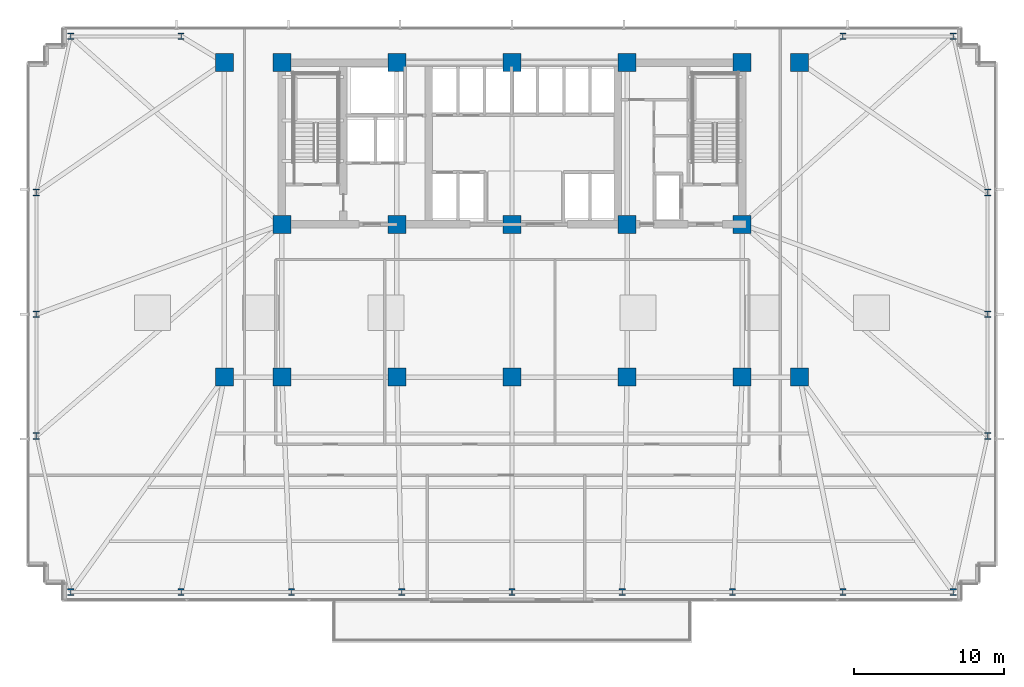
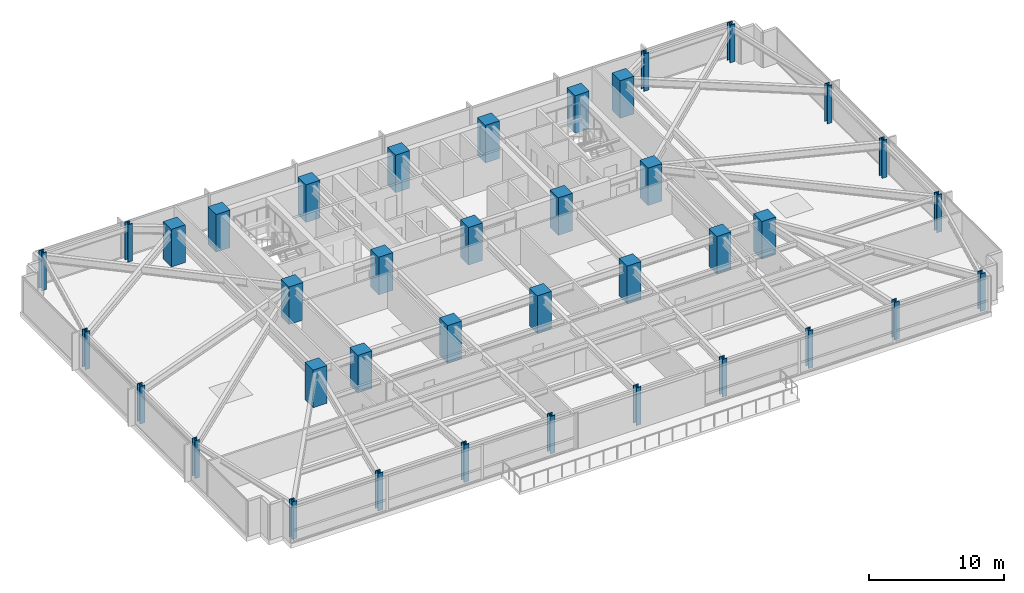
# One storey, part 1 of 31: 38 columns.
"""IFC4 building model written with IfcOpenShell, lengths in metres."""

from ifc_helpers import new_model, si_unit, direction, frame, origin, origin_2d, place, context, subcontext, project, spatial, rectangle, i_section, extrude, material, material_profile, profile_set, type_object, element, save


model = new_model("IFC4")

# Units and contexts
model_context = context("Model", 3, precision=1e-05, world=origin(), true_north=direction((0.0, 1.0)))
body_context = subcontext(model_context, "Body", "Model", "MODEL_VIEW")
ifc_project = project(units=[si_unit("LENGTHUNIT", "METRE"), si_unit("AREAUNIT", "SQUARE_METRE"), si_unit("VOLUMEUNIT", "CUBIC_METRE"), si_unit("PLANEANGLEUNIT", "RADIAN"), si_unit("MASSUNIT", "GRAM", prefix="KILO")], contexts=[model_context])

# Site, building, storey
site_placement = place(None, origin())
site = spatial("IfcSite", under=ifc_project, at=site_placement, CompositionType="ELEMENT")
building_placement = place(site_placement, origin())
building = spatial("IfcBuilding", under=site, at=building_placement, Name="Yelkora Congress Tower", CompositionType="ELEMENT")
storey_placement = place(building_placement, frame((0.0, 0.0, 30.39990234375)))
storey = spatial("IfcBuildingStorey", under=building, at=storey_placement, Name="L06", CompositionType="ELEMENT", Elevation=30.39990234375)

# Columns
ifc_material_1 = material(Name="Steel S460M", Category="steel")
ifc_material_profile_1 = material_profile(ifc_material_1, i_section(OverallWidth=0.41796875, OverallDepth=0.455078125, WebThickness=0.0419921875, FlangeThickness=0.068115234375, FilletRadius=0.014892578125, at=origin_2d()), Name="HD 400x551")
ifc_profile_set_1 = profile_set([ifc_material_profile_1], Name="Steel S460M")
column_type_1 = type_object("IfcColumnType", Name="COL-HD-551-EXT", PredefinedType="COLUMN", material=ifc_profile_set_1)
for number, where, z_axis, x_axis, name in (
    (1, (8.949951171875, 10.85009765625, 0.0), (0.0, 0.0, 1.0), (1.0, 0.0, 0.0), "L06 Perimeter Column S01"),
    (2, (16.3125, 10.85009765625, 0.0), (0.0, 0.0, 1.0), (1.0, 0.0, 0.0), "L06 Perimeter Column S02"),
    (3, (23.675048828125, 10.85009765625, 0.0), (0.0, 0.0, 1.0), (1.0, 0.0, 0.0), "L06 Perimeter Column S03"),
    (4, (31.03759765625, 10.85009765625, 0.0), (0.0, 0.0, 1.0), (1.0, 0.0, 0.0), "L06 Perimeter Column S04"),
    (5, (38.39990234375, 10.85009765625, 0.0), (0.0, 0.0, 1.0), (1.0, 0.0, 0.0), "L06 Perimeter Column S05"),
    (6, (45.762451171875, 10.85009765625, 0.0), (0.0, 0.0, 1.0), (1.0, 0.0, 0.0), "L06 Perimeter Column S06"),
    (7, (53.125, 10.85009765625, 0.0), (0.0, 0.0, 1.0), (1.0, 0.0, 0.0), "L06 Perimeter Column S07"),
    (8, (60.487548828125, 10.85009765625, 0.0), (0.0, 0.0, 1.0), (1.0, 0.0, 0.0), "L06 Perimeter Column S08"),
    (9, (67.85009765625, 10.85009765625, 0.0), (0.0, 0.0, 1.0), (1.0, 0.0, 0.0), "L06 Perimeter Column S09"),
    (10, (8.949951171875, 47.949951171875, 0.0), (0.0, 0.0, 1.0), (1.0, 0.0, 0.0), "L06 Perimeter Column N01"),
    (11, (16.3125, 47.949951171875, 0.0), (0.0, 0.0, 1.0), (1.0, 0.0, 0.0), "L06 Perimeter Column N02"),
    (12, (60.487548828125, 47.949951171875, 0.0), (0.0, 0.0, 1.0), (1.0, 0.0, 0.0), "L06 Perimeter Column N08"),
    (13, (67.85009765625, 47.949951171875, 0.0), (0.0, 0.0, 1.0), (1.0, 0.0, 0.0), "L06 Perimeter Column N09"),
    (14, (6.64990234375, 21.27490234375, 0.0), (0.0, 0.0, 1.0), (1.0, 0.0, 0.0), "L06 Perimeter Column W01"),
    (15, (70.14990234375, 21.27490234375, 0.0), (0.0, 0.0, 1.0), (1.0, 0.0, 0.0), "L06 Perimeter Column E01"),
    (16, (6.64990234375, 29.39990234375, 0.0), (0.0, 0.0, 1.0), (1.0, 0.0, 0.0), "L06 Perimeter Column W02"),
    (17, (70.14990234375, 29.39990234375, 0.0), (0.0, 0.0, 1.0), (1.0, 0.0, 0.0), "L06 Perimeter Column E02"),
    (18, (6.64990234375, 37.52490234375, 0.0), (0.0, 0.0, 1.0), (1.0, 0.0, 0.0), "L06 Perimeter Column W03"),
    (19, (70.14990234375, 37.52490234375, 0.0), (0.0, 0.0, 1.0), (1.0, 0.0, 0.0), "L06 Perimeter Column E03"),
):
    element("IfcColumn", number, at=place(storey_placement, frame(where, z_axis=z_axis, x_axis=x_axis)), inside=storey, type_object=column_type_1, Name=name, PredefinedType="COLUMN", context=body_context, shape_type="SweptSolid", body=[
        extrude(i_section(OverallWidth=0.41796875, OverallDepth=0.455078125, WebThickness=0.0419921875, FlangeThickness=0.068115234375, FilletRadius=0.014892578125, at=origin_2d()), origin(), (0.0, 0.0, 1.0), 3.400146484375),
    ])
ifc_material_2 = material(Name="Concrete C60/75", Category="concrete")
ifc_material_profile_2 = material_profile(ifc_material_2, rectangle(XDim=1.199951171875, YDim=1.199951171875, at=origin_2d()), Name="RC 1200x1200")
ifc_profile_set_2 = profile_set([ifc_material_profile_2], Name="Concrete C60/75")
column_type_2 = type_object("IfcColumnType", Name="COL-RC-1200", PredefinedType="COLUMN", material=ifc_profile_set_2)
for number, where, z_axis, x_axis, name in (
    (20, (23.0400390625, 35.39990234375, 0.0), (0.0, 0.0, 1.0), (1.0, 0.0, 0.0), "L06 Mega Column MC-S1"),
    (21, (23.0400390625, 46.199951171875, 0.0), (0.0, 0.0, 1.0), (1.0, 0.0, 0.0), "L06 Mega Column MC-N1"),
    (22, (23.0400390625, 25.199951171875, 0.0), (0.0, 0.0, 1.0), (1.0, 0.0, 0.0), "L06 Mega Column MC-D1"),
    (23, (30.719970703125, 35.39990234375, 0.0), (0.0, 0.0, 1.0), (1.0, 0.0, 0.0), "L06 Mega Column MC-S2"),
    (24, (30.719970703125, 46.199951171875, 0.0), (0.0, 0.0, 1.0), (1.0, 0.0, 0.0), "L06 Mega Column MC-N2"),
    (25, (30.719970703125, 25.199951171875, 0.0), (0.0, 0.0, 1.0), (1.0, 0.0, 0.0), "L06 Mega Column MC-D2"),
    (26, (38.39990234375, 35.39990234375, 0.0), (0.0, 0.0, 1.0), (1.0, 0.0, 0.0), "L06 Mega Column MC-S3"),
    (27, (38.39990234375, 46.199951171875, 0.0), (0.0, 0.0, 1.0), (1.0, 0.0, 0.0), "L06 Mega Column MC-N3"),
    (28, (38.39990234375, 25.199951171875, 0.0), (0.0, 0.0, 1.0), (1.0, 0.0, 0.0), "L06 Mega Column MC-D3"),
    (29, (46.080078125, 35.39990234375, 0.0), (0.0, 0.0, 1.0), (1.0, 0.0, 0.0), "L06 Mega Column MC-S4"),
    (30, (46.080078125, 46.199951171875, 0.0), (0.0, 0.0, 1.0), (1.0, 0.0, 0.0), "L06 Mega Column MC-N4"),
    (31, (46.080078125, 25.199951171875, 0.0), (0.0, 0.0, 1.0), (1.0, 0.0, 0.0), "L06 Mega Column MC-D4"),
    (32, (53.760009765625, 35.39990234375, 0.0), (0.0, 0.0, 1.0), (1.0, 0.0, 0.0), "L06 Mega Column MC-S5"),
    (33, (53.760009765625, 46.199951171875, 0.0), (0.0, 0.0, 1.0), (1.0, 0.0, 0.0), "L06 Mega Column MC-N5"),
    (34, (53.760009765625, 25.199951171875, 0.0), (0.0, 0.0, 1.0), (1.0, 0.0, 0.0), "L06 Mega Column MC-D5"),
    (35, (19.199951171875, 25.199951171875, 0.0), (0.0, 0.0, 1.0), (1.0, 0.0, 0.0), "L06 Mega Column MC-F1"),
    (36, (57.60009765625, 25.199951171875, 0.0), (0.0, 0.0, 1.0), (1.0, 0.0, 0.0), "L06 Mega Column MC-F2"),
    (37, (19.199951171875, 46.199951171875, 0.0), (0.0, 0.0, 1.0), (1.0, 0.0, 0.0), "L06 Mega Column MC-F3"),
    (38, (57.60009765625, 46.199951171875, 0.0), (0.0, 0.0, 1.0), (1.0, 0.0, 0.0), "L06 Mega Column MC-F4"),
):
    element("IfcColumn", number, at=place(storey_placement, frame(where, z_axis=z_axis, x_axis=x_axis)), inside=storey, type_object=column_type_2, Name=name, PredefinedType="COLUMN", context=body_context, shape_type="SweptSolid", body=[
        extrude(rectangle(XDim=1.199951171875, YDim=1.199951171875, at=origin_2d()), origin(), (0.0, 0.0, 1.0), 3.400146484375),
    ])

save(model, "model.ifc")
